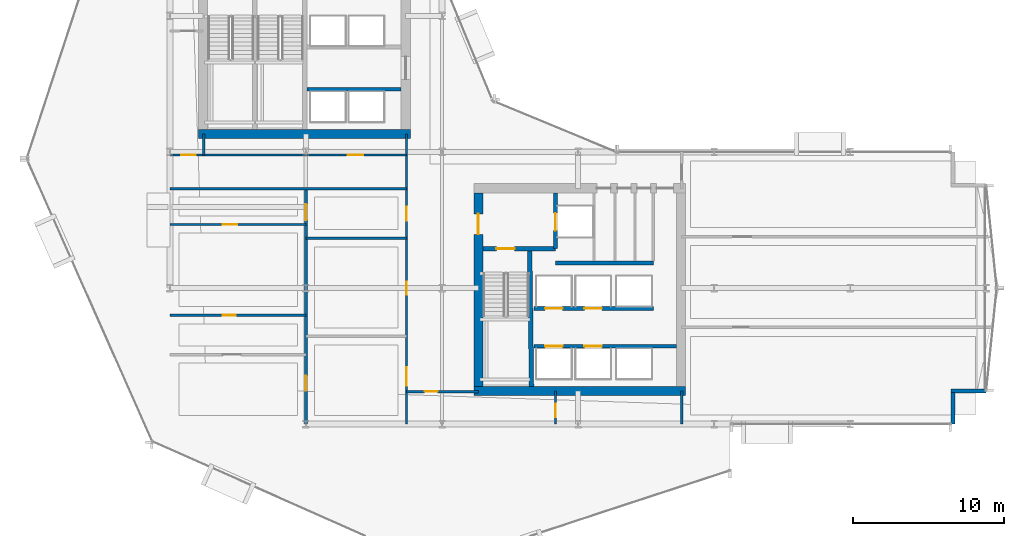
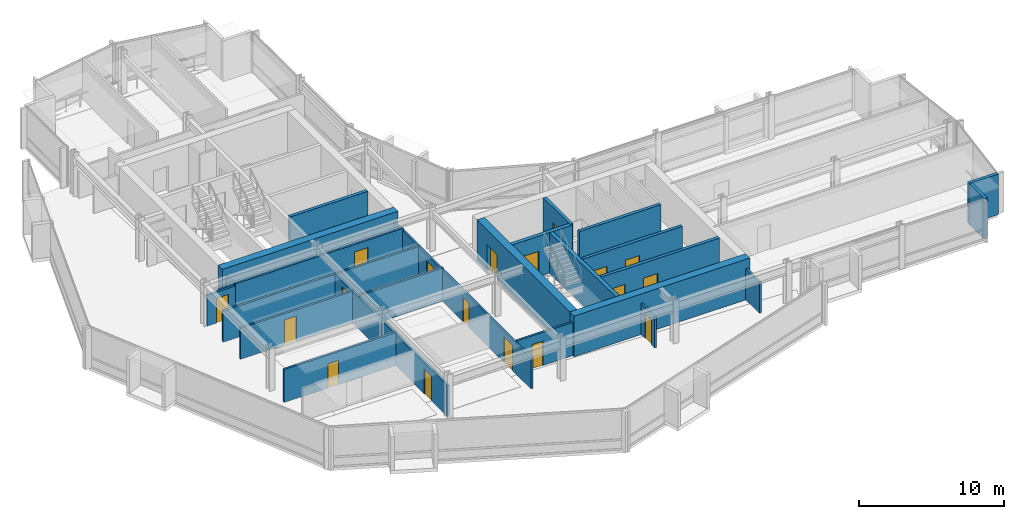
# One storey, part 27 of 34: 24 walls, 18 doors, 18 openings.
"""IFC4 building model written with IfcOpenShell, lengths in metres."""

from ifc_helpers import new_model, si_unit, direction, frame, frame_2d, origin, place, context, subcontext, project, spatial, rectangle, extrude, material, layer, layer_set, type_object, element, fill, save


model = new_model("IFC4")

# Units and contexts
model_context = context("Model", 3, precision=1e-05, world=origin(), true_north=direction((0.0, 1.0)))
body_context = subcontext(model_context, "Body", "Model", "MODEL_VIEW")
ifc_project = project(units=[si_unit("LENGTHUNIT", "METRE"), si_unit("AREAUNIT", "SQUARE_METRE"), si_unit("VOLUMEUNIT", "CUBIC_METRE"), si_unit("PLANEANGLEUNIT", "RADIAN"), si_unit("MASSUNIT", "GRAM", prefix="KILO")], contexts=[model_context])

# Site, building, storey
site_placement = place(None, origin())
site = spatial("IfcSite", under=ifc_project, at=site_placement, CompositionType="ELEMENT")
building_placement = place(site_placement, origin())
building = spatial("IfcBuilding", under=site, at=building_placement, Name="Solvaryn Broadcast Tower", CompositionType="ELEMENT")
storey_placement = place(building_placement, frame((0.0, 0.0, 39.699951171875)))
storey = spatial("IfcBuildingStorey", under=building, at=storey_placement, Name="L08", CompositionType="ELEMENT", Elevation=39.699951171875)

# Walls
ifc_material_1 = material(Name="Concrete f'c 70 MPa", Category="concrete")
ifc_layer_1 = layer(ifc_material_1, 0.60009765625)
ifc_layer_set_1 = layer_set([ifc_layer_1], Name="CW-SHEAR-600")
wall_type_1 = type_object("IfcWallType", Name="CW-SHEAR-600", PredefinedType="SHEAR", material=ifc_layer_set_1)
for number, where, z_axis, x_axis, name in (
    (1, (10.89990234375, 28.199951171875, 0.0), (0.0, 0.0, 1.0), (1.0, 0.0, 0.0), "L08 West Core South Shear Wall"),
    (2, (29.10009765625, 11.199951171875, 0.0), (0.0, 0.0, 1.0), (1.0, 0.0, 0.0), "L08 East Core South Shear Wall"),
):
    element("IfcWall", number, at=place(storey_placement, frame(where, z_axis=z_axis, x_axis=x_axis)), inside=storey, type_object=wall_type_1, Name=name, PredefinedType="SHEAR", context=body_context, shape_type="SweptSolid", body=[
        extrude(rectangle(XDim=14.0, YDim=0.60009765625, at=frame_2d((7.0, 0.0))), origin(), (0.0, 0.0, 1.0), 3.420166015625),
    ])

# Wall, opening, door
wall_1_placement = place(storey_placement, frame((29.39990234375, 24.300048828125, 0.0), z_axis=(0.0, 0.0, 1.0), x_axis=(0.0, -1.0, 0.0)))
wall_1 = element("IfcWall", 3, at=wall_1_placement, inside=storey, type_object=wall_type_1, Name="L08 East Core West Shear Wall", PredefinedType="SHEAR", context=body_context, shape_type="SweptSolid", body=[
    extrude(rectangle(XDim=12.800048828125, YDim=0.60009765625, at=frame_2d((6.39990234375, 0.0))), origin(), (0.0, 0.0, 1.0), 3.420166015625),
])
opening_1_placement = place(wall_1_placement, frame((1.39990234375, 0.0, 0.0)))
opening_1 = element("IfcOpeningElement", 4, at=opening_1_placement, cuts=wall_1, Name="Opening FD90B", PredefinedType="OPENING", context=body_context, shape_type="SweptSolid", body=[
    extrude(rectangle(XDim=1.35009765625, YDim=2.14990234375, at=frame_2d((0.675048828125, 1.074951171875))), frame((0.0, 0.31005859375, 0.0), z_axis=(0.0, -1.0, 0.0), x_axis=(1.0, 0.0, 0.0)), (0.0, 0.0, 1.0), 0.6201171875),
])
ifc_material_2 = material(Name="Flush Acoustic Steel and Timber Door Assembly", Category="steel")
door_type_1 = type_object("IfcDoorType", Name="FD90-LOBBY-1350X2150", OperationType="NOTDEFINED", PredefinedType="DOOR", material=ifc_material_2)
door_1_placement = place(opening_1_placement, origin())
door_1 = element("IfcDoor", 5, at=door_1_placement, inside=storey, type_object=door_type_1, Name="L08 East FSAE Lobby Door", OperationType="SINGLE_SWING_RIGHT", OverallHeight=2.14990234375, OverallWidth=1.35009765625, PredefinedType="DOOR", context=body_context, shape_type="SweptSolid", body=[
    extrude(rectangle(XDim=1.35009765625, YDim=2.14990234375, at=frame_2d((0.675048828125, 1.074951171875))), frame((0.0, 0.02490234375, 0.0), z_axis=(0.0, -1.0, 0.0), x_axis=(1.0, 0.0, 0.0)), (0.0, 0.0, 1.0), 0.050048828125),
])
fill(opening_1, door_1)

# Walls
ifc_material_3 = material(Name="Concrete f'c 50 MPa", Category="concrete")
ifc_layer_2 = layer(ifc_material_3, 0.260009765625)
ifc_layer_set_2 = layer_set([ifc_layer_2], Name="EW-PIER-260")
wall_type_2 = type_object("IfcWallType", Name="EW-PIER-260", PredefinedType="SOLIDWALL", material=ifc_layer_set_2)
wall_2_placement = place(storey_placement, frame((60.800048828125, 9.0, 0.0), z_axis=(0.0, 0.0, 1.0), x_axis=(0.0, 1.0, 0.0)))
element("IfcWall", 6, at=wall_2_placement, inside=storey, type_object=wall_type_2, Name="L08 Notched Corner Pier Wall NSE1", PredefinedType="SOLIDWALL", context=body_context, shape_type="SweptSolid", body=[
    extrude(rectangle(XDim=2.080078125, YDim=0.260009765625, at=frame_2d((1.0400390625, 0.0))), origin(), (0.0, 0.0, 1.0), 3.420166015625),
])
wall_3_placement = place(storey_placement, frame((60.679931640625, 11.199951171875, 0.0), z_axis=(0.0, 0.0, 1.0), x_axis=(1.0, 0.0, 0.0)))
element("IfcWall", 7, at=wall_3_placement, inside=storey, type_object=wall_type_2, Name="L08 Notched Corner Pier Wall NSE2", PredefinedType="SOLIDWALL", context=body_context, shape_type="SweptSolid", body=[
    extrude(rectangle(XDim=2.320068359375, YDim=0.260009765625, at=frame_2d((1.16015625, 0.0))), origin(), (0.0, 0.0, 1.0), 3.420166015625),
])

# Wall, opening, door
ifc_material_4 = material(Name="Metal-Stud Service Core Partition")
ifc_layer_3 = layer(ifc_material_4, 0.14990234375)
ifc_layer_set_3 = layer_set([ifc_layer_3], Name="IW-PART-150")
wall_type_3 = type_object("IfcWallType", Name="IW-PART-150", PredefinedType="PARTITIONING", material=ifc_layer_set_3)
wall_4_placement = place(storey_placement, frame((34.5, 9.0, 0.0), z_axis=(0.0, 0.0, 1.0), x_axis=(0.0, 1.0, 0.0)))
wall_4 = element("IfcWall", 8, at=wall_4_placement, inside=storey, type_object=wall_type_3, Name="L08 Interior Partition IW-L08-SC-V", PredefinedType="PARTITIONING", context=body_context, shape_type="SweptSolid", body=[
    extrude(rectangle(XDim=2.199951171875, YDim=0.14990234375, at=frame_2d((1.10009765625, 0.0))), origin(), (0.0, 0.0, 1.0), 2.626953125),
])
opening_2_placement = place(wall_4_placement, frame((0.449951171875, 0.0, 0.0)))
opening_2 = element("IfcOpeningElement", 9, at=opening_2_placement, cuts=wall_4, Name="Opening FD60C", PredefinedType="OPENING", context=body_context, shape_type="SweptSolid", body=[
    extrude(rectangle(XDim=0.89990234375, YDim=2.10009765625, at=frame_2d((0.449951171875, 1.050048828125))), frame((0.0, 0.0849609375, 0.0), z_axis=(0.0, -1.0, 0.0), x_axis=(1.0, 0.0, 0.0)), (0.0, 0.0, 1.0), 0.169921875),
])
ifc_material_5 = material(Name="Flush Acoustic Steel and Timber Door Assembly", Category="steel")
door_type_2 = type_object("IfcDoorType", Name="FD60-SERV-900X2100", OperationType="NOTDEFINED", PredefinedType="DOOR", material=ifc_material_5)
door_2_placement = place(opening_2_placement, origin())
door_2 = element("IfcDoor", 10, at=door_2_placement, inside=storey, type_object=door_type_2, Name="L08 Door DR-L08-SC1", OperationType="SINGLE_SWING_RIGHT", OverallHeight=2.10009765625, OverallWidth=0.89990234375, PredefinedType="DOOR", context=body_context, shape_type="SweptSolid", body=[
    extrude(rectangle(XDim=0.89990234375, YDim=2.10009765625, at=frame_2d((0.449951171875, 1.050048828125))), frame((0.0, 0.02490234375, 0.0), z_axis=(0.0, -1.0, 0.0), x_axis=(1.0, 0.0, 0.0)), (0.0, 0.0, 1.0), 0.050048828125),
])
fill(opening_2, door_2)

ifc_material_6 = material(Name="Metal-Stud Gypsum Office Partition")
ifc_layer_4 = layer(ifc_material_6, 0.159912109375)
ifc_layer_set_4 = layer_set([ifc_layer_4], Name="IW-PART-160")
wall_type_4 = type_object("IfcWallType", Name="IW-PART-160", PredefinedType="PARTITIONING", material=ifc_layer_set_4)
wall_5_placement = place(storey_placement, frame((9.0, 26.800048828125, 0.0), z_axis=(0.0, 0.0, 1.0), x_axis=(1.0, 0.0, 0.0)))
wall_5 = element("IfcWall", 11, at=wall_5_placement, inside=storey, type_object=wall_type_4, Name="L08 Interior Partition IW-L08-WM-S", PredefinedType="PARTITIONING", context=body_context, shape_type="SweptSolid", body=[
    extrude(rectangle(XDim=2.25, YDim=0.159912109375, at=frame_2d((1.125, 0.0))), origin(), (0.0, 0.0, 1.0), 2.626953125),
])
opening_3_placement = place(wall_5_placement, frame((0.75, 0.0, 0.0)))
opening_3 = element("IfcOpeningElement", 12, at=opening_3_placement, cuts=wall_5, Name="Opening ID01", PredefinedType="OPENING", context=body_context, shape_type="SweptSolid", body=[
    extrude(rectangle(XDim=0.949951171875, YDim=2.10009765625, at=frame_2d((0.47509765625, 1.050048828125))), frame((0.0, 0.090087890625, 0.0), z_axis=(0.0, -1.0, 0.0), x_axis=(1.0, 0.0, 0.0)), (0.0, 0.0, 1.0), 0.179931640625),
])
ifc_material_7 = material(Name="Flush Acoustic Steel and Timber Door Assembly", Category="steel")
door_type_3 = type_object("IfcDoorType", Name="ID-01-950X2100", OperationType="NOTDEFINED", PredefinedType="DOOR", material=ifc_material_7)
door_3_placement = place(opening_3_placement, origin())
door_3 = element("IfcDoor", 13, at=door_3_placement, inside=storey, type_object=door_type_3, Name="L08 Door DR-L08-WM0", OperationType="SINGLE_SWING_LEFT", OverallHeight=2.10009765625, OverallWidth=0.949951171875, PredefinedType="DOOR", context=body_context, shape_type="SweptSolid", body=[
    extrude(rectangle(XDim=0.949951171875, YDim=2.10009765625, at=frame_2d((0.47509765625, 1.050048828125))), frame((0.0, 0.02490234375, 0.0), z_axis=(0.0, -1.0, 0.0), x_axis=(1.0, 0.0, 0.0)), (0.0, 0.0, 1.0), 0.050048828125),
])
fill(opening_3, door_3)

# Wall, openings, doors
wall_6_placement = place(storey_placement, frame((24.64990234375, 9.0, 0.0), z_axis=(0.0, 0.0, 1.0), x_axis=(0.0, 1.0, 0.0)))
wall_6 = element("IfcWall", 14, at=wall_6_placement, inside=storey, type_object=wall_type_4, Name="L08 Interior Partition IW-L08-SW-EB", PredefinedType="PARTITIONING", context=body_context, shape_type="SweptSolid", body=[
    extrude(rectangle(XDim=19.199951171875, YDim=0.159912109375, at=frame_2d((9.60009765625, 0.0))), origin(), (0.0, 0.0, 1.0), 2.626953125),
])
opening_4_placement = place(wall_6_placement, frame((2.550048828125, 0.0, 0.0)))
opening_4 = element("IfcOpeningElement", 15, at=opening_4_placement, cuts=wall_6, Name="Opening ID04", PredefinedType="OPENING", context=body_context, shape_type="SweptSolid", body=[
    extrude(rectangle(XDim=1.199951171875, YDim=2.14990234375, at=frame_2d((0.60009765625, 1.074951171875))), frame((0.0, 0.090087890625, 0.0), z_axis=(0.0, -1.0, 0.0), x_axis=(1.0, 0.0, 0.0)), (0.0, 0.0, 1.0), 0.179931640625),
])
opening_5_placement = place(wall_6_placement, frame((8.550048828125, 0.0, 0.0)))
opening_5 = element("IfcOpeningElement", 16, at=opening_5_placement, cuts=wall_6, Name="Opening ID07", PredefinedType="OPENING", context=body_context, shape_type="SweptSolid", body=[
    extrude(rectangle(XDim=0.860107421875, YDim=2.050048828125, at=frame_2d((0.43017578125, 1.02490234375))), frame((0.0, 0.090087890625, 0.0), z_axis=(0.0, -1.0, 0.0), x_axis=(1.0, 0.0, 0.0)), (0.0, 0.0, 1.0), 0.179931640625),
])
opening_6_placement = place(wall_6_placement, frame((13.43994140625, 0.0, 0.0)))
opening_6 = element("IfcOpeningElement", 17, at=opening_6_placement, cuts=wall_6, Name="Opening ID01", PredefinedType="OPENING", context=body_context, shape_type="SweptSolid", body=[
    extrude(rectangle(XDim=0.949951171875, YDim=2.10009765625, at=frame_2d((0.47509765625, 1.050048828125))), frame((0.0, 0.090087890625, 0.0), z_axis=(0.0, -1.0, 0.0), x_axis=(1.0, 0.0, 0.0)), (0.0, 0.0, 1.0), 0.179931640625),
])
door_4_placement = place(opening_6_placement, origin())
door_4 = element("IfcDoor", 18, at=door_4_placement, inside=storey, type_object=door_type_3, Name="L08 Door DR-L08-SWE-3", OperationType="SINGLE_SWING_RIGHT", OverallHeight=2.10009765625, OverallWidth=0.949951171875, PredefinedType="DOOR", context=body_context, shape_type="SweptSolid", body=[
    extrude(rectangle(XDim=0.949951171875, YDim=2.10009765625, at=frame_2d((0.47509765625, 1.050048828125))), frame((0.0, 0.02490234375, 0.0), z_axis=(0.0, -1.0, 0.0), x_axis=(1.0, 0.0, 0.0)), (0.0, 0.0, 1.0), 0.050048828125),
])
fill(opening_6, door_4)
ifc_material_8 = material(Name="Flush Acoustic Steel and Timber Door Assembly", Category="steel")
door_type_4 = type_object("IfcDoorType", Name="ID-04-1200X2150", OperationType="NOTDEFINED", PredefinedType="DOOR", material=ifc_material_8)
door_5_placement = place(opening_4_placement, origin())
door_5 = element("IfcDoor", 19, at=door_5_placement, inside=storey, type_object=door_type_4, Name="L08 Door DR-L08-SWE-1", OperationType="SINGLE_SWING_RIGHT", OverallHeight=2.14990234375, OverallWidth=1.199951171875, PredefinedType="DOOR", context=body_context, shape_type="SweptSolid", body=[
    extrude(rectangle(XDim=1.199951171875, YDim=2.14990234375, at=frame_2d((0.60009765625, 1.074951171875))), frame((0.0, 0.02490234375, 0.0), z_axis=(0.0, -1.0, 0.0), x_axis=(1.0, 0.0, 0.0)), (0.0, 0.0, 1.0), 0.050048828125),
])
fill(opening_4, door_5)
ifc_material_9 = material(Name="Flush Acoustic Steel and Timber Door Assembly", Category="steel")
door_type_5 = type_object("IfcDoorType", Name="ID-07-860X2050", OperationType="NOTDEFINED", PredefinedType="DOOR", material=ifc_material_9)
door_6_placement = place(opening_5_placement, origin())
door_6 = element("IfcDoor", 20, at=door_6_placement, inside=storey, type_object=door_type_5, Name="L08 Door DR-L08-SWE-2", OperationType="SINGLE_SWING_LEFT", OverallHeight=2.050048828125, OverallWidth=0.860107421875, PredefinedType="DOOR", context=body_context, shape_type="SweptSolid", body=[
    extrude(rectangle(XDim=0.860107421875, YDim=2.050048828125, at=frame_2d((0.43017578125, 1.02490234375))), frame((0.0, 0.02490234375, 0.0), z_axis=(0.0, -1.0, 0.0), x_axis=(1.0, 0.0, 0.0)), (0.0, 0.0, 1.0), 0.050048828125),
])
fill(opening_5, door_6)

# Wall
wall_7_placement = place(storey_placement, frame((9.0, 24.580078125, 0.0), z_axis=(0.0, 0.0, 1.0), x_axis=(1.0, 0.0, 0.0)))
element("IfcWall", 21, at=wall_7_placement, inside=storey, type_object=wall_type_4, Name="L08 Interior Partition IW-L08-SW-NB", PredefinedType="PARTITIONING", context=body_context, shape_type="SweptSolid", body=[
    extrude(rectangle(XDim=15.64990234375, YDim=0.159912109375, at=frame_2d((7.824951171875, 0.0))), origin(), (0.0, 0.0, 1.0), 2.626953125),
])

# Wall, opening, door
wall_8_placement = place(storey_placement, frame((11.25, 26.800048828125, 0.0), z_axis=(0.0, 0.0, 1.0), x_axis=(1.0, 0.0, 0.0)))
wall_8 = element("IfcWall", 22, at=wall_8_placement, inside=storey, type_object=wall_type_4, Name="L08 Interior Partition IW-L08-SW-N2", PredefinedType="PARTITIONING", context=body_context, shape_type="SweptSolid", body=[
    extrude(rectangle(XDim=13.39990234375, YDim=0.159912109375, at=frame_2d((6.699951171875, 0.0))), origin(), (0.0, 0.0, 1.0), 2.7890625),
])
opening_7_placement = place(wall_8_placement, frame((9.5, 0.0, 0.0)))
opening_7 = element("IfcOpeningElement", 23, at=opening_7_placement, cuts=wall_8, Name="Opening ID03", PredefinedType="OPENING", context=body_context, shape_type="SweptSolid", body=[
    extrude(rectangle(XDim=1.050048828125, YDim=2.14990234375, at=frame_2d((0.52490234375, 1.074951171875))), frame((0.0, 0.090087890625, 0.0), z_axis=(0.0, -1.0, 0.0), x_axis=(1.0, 0.0, 0.0)), (0.0, 0.0, 1.0), 0.179931640625),
])
ifc_material_10 = material(Name="Flush Acoustic Steel and Timber Door Assembly", Category="steel")
door_type_6 = type_object("IfcDoorType", Name="ID-03-1050X2150", OperationType="NOTDEFINED", PredefinedType="DOOR", material=ifc_material_10)
door_7_placement = place(opening_7_placement, origin())
door_7 = element("IfcDoor", 24, at=door_7_placement, inside=storey, type_object=door_type_6, Name="L08 Door DR-L08-SW-ALC", OperationType="SINGLE_SWING_LEFT", OverallHeight=2.14990234375, OverallWidth=1.050048828125, PredefinedType="DOOR", context=body_context, shape_type="SweptSolid", body=[
    extrude(rectangle(XDim=1.050048828125, YDim=2.14990234375, at=frame_2d((0.52490234375, 1.074951171875))), frame((0.0, 0.02490234375, 0.0), z_axis=(0.0, -1.0, 0.0), x_axis=(1.0, 0.0, 0.0)), (0.0, 0.0, 1.0), 0.050048828125),
])
fill(opening_7, door_7)

# Walls
wall_9_placement = place(storey_placement, frame((11.25, 26.800048828125, 0.0), z_axis=(0.0, 0.0, 1.0), x_axis=(0.0, 1.0, 0.0)))
element("IfcWall", 25, at=wall_9_placement, inside=storey, type_object=wall_type_4, Name="L08 Interior Partition IW-L08-SW-ALW", PredefinedType="PARTITIONING", context=body_context, shape_type="SweptSolid", body=[
    extrude(rectangle(XDim=1.39990234375, YDim=0.159912109375, at=frame_2d((0.699951171875, 0.0))), origin(), (0.0, 0.0, 1.0), 2.7890625),
])
wall_10_placement = place(storey_placement, frame((18.0, 21.300048828125, 0.0), z_axis=(0.0, 0.0, 1.0), x_axis=(1.0, 0.0, 0.0)))
element("IfcWall", 26, at=wall_10_placement, inside=storey, type_object=wall_type_4, Name="L08 Interior Partition IW-L08-SWE-H2", PredefinedType="PARTITIONING", context=body_context, shape_type="SweptSolid", body=[
    extrude(rectangle(XDim=6.64990234375, YDim=0.159912109375, at=frame_2d((3.324951171875, 0.0))), origin(), (0.0, 0.0, 1.0), 2.7919921875),
])

# Wall, opening, door
wall_11_placement = place(storey_placement, frame((9.0, 16.199951171875, 0.0), z_axis=(0.0, 0.0, 1.0), x_axis=(1.0, 0.0, 0.0)))
wall_11 = element("IfcWall", 27, at=wall_11_placement, inside=storey, type_object=wall_type_4, Name="L08 Interior Partition IW-L08-SWW-H2", PredefinedType="PARTITIONING", context=body_context, shape_type="SweptSolid", body=[
    extrude(rectangle(XDim=9.0, YDim=0.159912109375, at=frame_2d((4.5, 0.0))), origin(), (0.0, 0.0, 1.0), 2.7919921875),
])
opening_8_placement = place(wall_11_placement, frame((3.5, 0.0, 0.0)))
opening_8 = element("IfcOpeningElement", 28, at=opening_8_placement, cuts=wall_11, Name="Opening ID07", PredefinedType="OPENING", context=body_context, shape_type="SweptSolid", body=[
    extrude(rectangle(XDim=0.860107421875, YDim=2.050048828125, at=frame_2d((0.43017578125, 1.02490234375))), frame((0.0, 0.090087890625, 0.0), z_axis=(0.0, -1.0, 0.0), x_axis=(1.0, 0.0, 0.0)), (0.0, 0.0, 1.0), 0.179931640625),
])
door_8_placement = place(opening_8_placement, origin())
door_8 = element("IfcDoor", 29, at=door_8_placement, inside=storey, type_object=door_type_5, Name="L08 Door DR-L08-SWW-2", OperationType="SINGLE_SWING_RIGHT", OverallHeight=2.050048828125, OverallWidth=0.860107421875, PredefinedType="DOOR", context=body_context, shape_type="SweptSolid", body=[
    extrude(rectangle(XDim=0.860107421875, YDim=2.050048828125, at=frame_2d((0.43017578125, 1.02490234375))), frame((0.0, 0.02490234375, 0.0), z_axis=(0.0, -1.0, 0.0), x_axis=(1.0, 0.0, 0.0)), (0.0, 0.0, 1.0), 0.050048828125),
])
fill(opening_8, door_8)

wall_12_placement = place(storey_placement, frame((9.0, 22.199951171875, 0.0), z_axis=(0.0, 0.0, 1.0), x_axis=(1.0, 0.0, 0.0)))
wall_12 = element("IfcWall", 30, at=wall_12_placement, inside=storey, type_object=wall_type_4, Name="L08 Interior Partition IW-L08-SWW-H3", PredefinedType="PARTITIONING", context=body_context, shape_type="SweptSolid", body=[
    extrude(rectangle(XDim=9.0, YDim=0.159912109375, at=frame_2d((4.5, 0.0))), origin(), (0.0, 0.0, 1.0), 2.626953125),
])
opening_9_placement = place(wall_12_placement, frame((3.5, 0.0, 0.0)))
opening_9 = element("IfcOpeningElement", 31, at=opening_9_placement, cuts=wall_12, Name="Opening ID01", PredefinedType="OPENING", context=body_context, shape_type="SweptSolid", body=[
    extrude(rectangle(XDim=0.949951171875, YDim=2.10009765625, at=frame_2d((0.47509765625, 1.050048828125))), frame((0.0, 0.090087890625, 0.0), z_axis=(0.0, -1.0, 0.0), x_axis=(1.0, 0.0, 0.0)), (0.0, 0.0, 1.0), 0.179931640625),
])
door_9_placement = place(opening_9_placement, origin())
door_9 = element("IfcDoor", 32, at=door_9_placement, inside=storey, type_object=door_type_3, Name="L08 Door DR-L08-SWW-3", OperationType="SINGLE_SWING_LEFT", OverallHeight=2.10009765625, OverallWidth=0.949951171875, PredefinedType="DOOR", context=body_context, shape_type="SweptSolid", body=[
    extrude(rectangle(XDim=0.949951171875, YDim=2.10009765625, at=frame_2d((0.47509765625, 1.050048828125))), frame((0.0, 0.02490234375, 0.0), z_axis=(0.0, -1.0, 0.0), x_axis=(1.0, 0.0, 0.0)), (0.0, 0.0, 1.0), 0.050048828125),
])
fill(opening_9, door_9)

wall_13_placement = place(storey_placement, frame((24.64990234375, 11.14990234375, 0.0), z_axis=(0.0, 0.0, 1.0), x_axis=(1.0, 0.0, 0.0)))
wall_13 = element("IfcWall", 33, at=wall_13_placement, inside=storey, type_object=wall_type_4, Name="L08 Interior Partition IW-L08-SC-N", PredefinedType="PARTITIONING", context=body_context, shape_type="SweptSolid", body=[
    extrude(rectangle(XDim=4.75, YDim=0.159912109375, at=frame_2d((2.375, 0.0))), origin(), (0.0, 0.0, 1.0), 2.7919921875),
])
opening_10_placement = place(wall_13_placement, frame((1.199951171875, 0.0, 0.0)))
opening_10 = element("IfcOpeningElement", 34, at=opening_10_placement, cuts=wall_13, Name="Opening ID07", PredefinedType="OPENING", context=body_context, shape_type="SweptSolid", body=[
    extrude(rectangle(XDim=0.860107421875, YDim=2.050048828125, at=frame_2d((0.43017578125, 1.02490234375))), frame((0.0, 0.090087890625, 0.0), z_axis=(0.0, -1.0, 0.0), x_axis=(1.0, 0.0, 0.0)), (0.0, 0.0, 1.0), 0.179931640625),
])
door_10_placement = place(opening_10_placement, origin())
door_10 = element("IfcDoor", 35, at=door_10_placement, inside=storey, type_object=door_type_5, Name="L08 Door DR-L08-SC0", OperationType="SINGLE_SWING_LEFT", OverallHeight=2.050048828125, OverallWidth=0.860107421875, PredefinedType="DOOR", context=body_context, shape_type="SweptSolid", body=[
    extrude(rectangle(XDim=0.860107421875, YDim=2.050048828125, at=frame_2d((0.43017578125, 1.02490234375))), frame((0.0, 0.02490234375, 0.0), z_axis=(0.0, -1.0, 0.0), x_axis=(1.0, 0.0, 0.0)), (0.0, 0.0, 1.0), 0.050048828125),
])
fill(opening_10, door_10)

# Wall
wall_14_placement = place(storey_placement, frame((42.85009765625, 9.0, 0.0), z_axis=(0.0, 0.0, 1.0), x_axis=(0.0, 1.0, 0.0)))
element("IfcWall", 36, at=wall_14_placement, inside=storey, type_object=wall_type_4, Name="L08 Interior Partition IW-L08-SC-E", PredefinedType="PARTITIONING", context=body_context, shape_type="SweptSolid", body=[
    extrude(rectangle(XDim=2.199951171875, YDim=0.159912109375, at=frame_2d((1.10009765625, 0.0))), origin(), (0.0, 0.0, 1.0), 2.626953125),
])

# Wall, openings, doors
ifc_material_11 = material(Name="Acoustic Metal-Stud Gypsum Partition")
ifc_layer_5 = layer(ifc_material_11, 0.179931640625)
ifc_layer_set_5 = layer_set([ifc_layer_5], Name="IW-PART-180")
wall_type_5 = type_object("IfcWallType", Name="IW-PART-180", PredefinedType="PARTITIONING", material=ifc_layer_set_5)
wall_15_placement = place(storey_placement, frame((18.0, 9.0, 0.0), z_axis=(0.0, 0.0, 1.0), x_axis=(0.0, 1.0, 0.0)))
wall_15 = element("IfcWall", 37, at=wall_15_placement, inside=storey, type_object=wall_type_5, Name="L08 Interior Partition IW-L08-SW-VX", PredefinedType="PARTITIONING", context=body_context, shape_type="SweptSolid", body=[
    extrude(rectangle(XDim=15.580078125, YDim=0.179931640625, at=frame_2d((7.7900390625, 0.0))), origin(), (0.0, 0.0, 1.0), 2.626953125),
])
opening_11_placement = place(wall_15_placement, frame((2.199951171875, 0.0, 0.0)))
opening_11 = element("IfcOpeningElement", 38, at=opening_11_placement, cuts=wall_15, Name="Opening ID02", PredefinedType="OPENING", context=body_context, shape_type="SweptSolid", body=[
    extrude(rectangle(XDim=1.0, YDim=2.10009765625, at=frame_2d((0.5, 1.050048828125))), frame((0.0, 0.099853515625, 0.0), z_axis=(0.0, -1.0, 0.0), x_axis=(1.0, 0.0, 0.0)), (0.0, 0.0, 1.0), 0.199951171875),
])
opening_12_placement = place(wall_15_placement, frame((13.5, 0.0, 0.0)))
opening_12 = element("IfcOpeningElement", 39, at=opening_12_placement, cuts=wall_15, Name="Opening ID03", PredefinedType="OPENING", context=body_context, shape_type="SweptSolid", body=[
    extrude(rectangle(XDim=1.050048828125, YDim=2.14990234375, at=frame_2d((0.52490234375, 1.074951171875))), frame((0.0, 0.099853515625, 0.0), z_axis=(0.0, -1.0, 0.0), x_axis=(1.0, 0.0, 0.0)), (0.0, 0.0, 1.0), 0.199951171875),
])
ifc_material_12 = material(Name="Flush Acoustic Steel and Timber Door Assembly", Category="steel")
door_type_7 = type_object("IfcDoorType", Name="ID-02-1000X2100", OperationType="NOTDEFINED", PredefinedType="DOOR", material=ifc_material_12)
door_11_placement = place(opening_11_placement, origin())
door_11 = element("IfcDoor", 40, at=door_11_placement, inside=storey, type_object=door_type_7, Name="L08 Door DR-L08-SWW-X1", OperationType="SINGLE_SWING_LEFT", OverallHeight=2.10009765625, OverallWidth=1.0, PredefinedType="DOOR", context=body_context, shape_type="SweptSolid", body=[
    extrude(rectangle(XDim=1.0, YDim=2.10009765625, at=frame_2d((0.5, 1.050048828125))), frame((0.0, 0.02490234375, 0.0), z_axis=(0.0, -1.0, 0.0), x_axis=(1.0, 0.0, 0.0)), (0.0, 0.0, 1.0), 0.050048828125),
])
fill(opening_11, door_11)
door_12_placement = place(opening_12_placement, origin())
door_12 = element("IfcDoor", 41, at=door_12_placement, inside=storey, type_object=door_type_6, Name="L08 Door DR-L08-SWW-X2", OperationType="SINGLE_SWING_RIGHT", OverallHeight=2.14990234375, OverallWidth=1.050048828125, PredefinedType="DOOR", context=body_context, shape_type="SweptSolid", body=[
    extrude(rectangle(XDim=1.050048828125, YDim=2.14990234375, at=frame_2d((0.52490234375, 1.074951171875))), frame((0.0, 0.02490234375, 0.0), z_axis=(0.0, -1.0, 0.0), x_axis=(1.0, 0.0, 0.0)), (0.0, 0.0, 1.0), 0.050048828125),
])
fill(opening_12, door_12)

# Wall
ifc_material_13 = material(Name="Concrete f'c 60 MPa", Category="concrete")
ifc_layer_6 = layer(ifc_material_13, 0.25)
ifc_layer_set_6 = layer_set([ifc_layer_6], Name="SW-SHAFT-250")
wall_type_6 = type_object("IfcWallType", Name="SW-SHAFT-250", PredefinedType="PARTITIONING", material=ifc_layer_set_6)
wall_16_placement = place(storey_placement, frame((18.070068359375, 31.14990234375, 0.0), z_axis=(0.0, 0.0, 1.0), x_axis=(1.0, 0.0, 0.0)))
element("IfcWall", 42, at=wall_16_placement, inside=storey, type_object=wall_type_6, Name="L08 High-Rise Lift Bank South Wall", PredefinedType="PARTITIONING", context=body_context, shape_type="SweptSolid", body=[
    extrude(rectangle(XDim=6.22998046875, YDim=0.25, at=frame_2d((3.114990234375, 0.0))), origin(), (0.0, 0.0, 1.0), 3.420166015625),
])

# Wall, opening, door
wall_17_placement = place(storey_placement, frame((34.5, 20.60009765625, 0.0), z_axis=(0.0, 0.0, 1.0), x_axis=(0.0, 1.0, 0.0)))
wall_17 = element("IfcWall", 43, at=wall_17_placement, inside=storey, type_object=wall_type_6, Name="L08 East FSAE Lobby East Wall", PredefinedType="PARTITIONING", context=body_context, shape_type="SweptSolid", body=[
    extrude(rectangle(XDim=3.699951171875, YDim=0.25, at=frame_2d((1.85009765625, 0.0))), origin(), (0.0, 0.0, 1.0), 3.420166015625),
])
opening_13_placement = place(wall_17_placement, frame((1.199951171875, 0.0, 0.0)))
opening_13 = element("IfcOpeningElement", 44, at=opening_13_placement, cuts=wall_17, Name="Opening LD01", PredefinedType="OPENING", context=body_context, shape_type="SweptSolid", body=[
    extrude(rectangle(XDim=1.14990234375, YDim=2.14990234375, at=frame_2d((0.574951171875, 1.074951171875))), frame((0.0, 0.135009765625, 0.0), z_axis=(0.0, -1.0, 0.0), x_axis=(1.0, 0.0, 0.0)), (0.0, 0.0, 1.0), 0.27001953125),
])
ifc_material_14 = material(Name="Flush Acoustic Steel and Timber Door Assembly", Category="steel")
door_type_8 = type_object("IfcDoorType", Name="LD-LIFT-1150X2150", OperationType="NOTDEFINED", PredefinedType="DOOR", material=ifc_material_14)
door_13_placement = place(opening_13_placement, origin())
door_13 = element("IfcDoor", 45, at=door_13_placement, inside=storey, type_object=door_type_8, Name="L08 FL2 Lift Landing Door", OperationType="DOUBLE_DOOR_SLIDING", OverallHeight=2.14990234375, OverallWidth=1.14990234375, PredefinedType="DOOR", context=body_context, shape_type="SweptSolid", body=[
    extrude(rectangle(XDim=1.14990234375, YDim=2.14990234375, at=frame_2d((0.574951171875, 1.074951171875))), frame((0.0, 0.02490234375, 0.0), z_axis=(0.0, -1.0, 0.0), x_axis=(1.0, 0.0, 0.0)), (0.0, 0.0, 1.0), 0.050048828125),
])
fill(opening_13, door_13)

# Wall
wall_18_placement = place(storey_placement, frame((34.5, 19.64990234375, 0.0), z_axis=(0.0, 0.0, 1.0), x_axis=(1.0, 0.0, 0.0)))
element("IfcWall", 46, at=wall_18_placement, inside=storey, type_object=wall_type_6, Name="L08 East Core Restroom South Wall", PredefinedType="PARTITIONING", context=body_context, shape_type="SweptSolid", body=[
    extrude(rectangle(XDim=6.47998046875, YDim=0.25, at=frame_2d((3.239990234375, 0.0))), origin(), (0.0, 0.0, 1.0), 3.420166015625),
])

# Wall, openings, doors
wall_19_placement = place(storey_placement, frame((33.070068359375, 14.14990234375, 0.0), z_axis=(0.0, 0.0, 1.0), x_axis=(1.0, 0.0, 0.0)))
wall_19 = element("IfcWall", 47, at=wall_19_placement, inside=storey, type_object=wall_type_6, Name="L08 East Lift Bank South Wall", PredefinedType="PARTITIONING", context=body_context, shape_type="SweptSolid", body=[
    extrude(rectangle(XDim=9.429931640625, YDim=0.25, at=frame_2d((4.71484375, 0.0))), origin(), (0.0, 0.0, 1.0), 3.420166015625),
])
opening_14_placement = place(wall_19_placement, frame((0.7548828125, 0.0, 0.0)))
opening_14 = element("IfcOpeningElement", 48, at=opening_14_placement, cuts=wall_19, Name="Opening LD01", PredefinedType="OPENING", context=body_context, shape_type="SweptSolid", body=[
    extrude(rectangle(XDim=1.14990234375, YDim=2.14990234375, at=frame_2d((0.574951171875, 1.074951171875))), frame((0.0, 0.135009765625, 0.0), z_axis=(0.0, -1.0, 0.0), x_axis=(1.0, 0.0, 0.0)), (0.0, 0.0, 1.0), 0.27001953125),
])
opening_15_placement = place(wall_19_placement, frame((3.35498046875, 0.0, 0.0)))
opening_15 = element("IfcOpeningElement", 49, at=opening_15_placement, cuts=wall_19, Name="Opening LD01", PredefinedType="OPENING", context=body_context, shape_type="SweptSolid", body=[
    extrude(rectangle(XDim=1.14990234375, YDim=2.14990234375, at=frame_2d((0.574951171875, 1.074951171875))), frame((0.0, 0.135009765625, 0.0), z_axis=(0.0, -1.0, 0.0), x_axis=(1.0, 0.0, 0.0)), (0.0, 0.0, 1.0), 0.27001953125),
])
door_14_placement = place(opening_14_placement, origin())
door_14 = element("IfcDoor", 50, at=door_14_placement, inside=storey, type_object=door_type_8, Name="L08 PL1 Lift Landing Door", OperationType="DOUBLE_DOOR_SLIDING", OverallHeight=2.14990234375, OverallWidth=1.14990234375, PredefinedType="DOOR", context=body_context, shape_type="SweptSolid", body=[
    extrude(rectangle(XDim=1.14990234375, YDim=2.14990234375, at=frame_2d((0.574951171875, 1.074951171875))), frame((0.0, 0.02490234375, 0.0), z_axis=(0.0, -1.0, 0.0), x_axis=(1.0, 0.0, 0.0)), (0.0, 0.0, 1.0), 0.050048828125),
])
fill(opening_14, door_14)
door_15_placement = place(opening_15_placement, origin())
door_15 = element("IfcDoor", 51, at=door_15_placement, inside=storey, type_object=door_type_8, Name="L08 PL2 Lift Landing Door", OperationType="DOUBLE_DOOR_SLIDING", OverallHeight=2.14990234375, OverallWidth=1.14990234375, PredefinedType="DOOR", context=body_context, shape_type="SweptSolid", body=[
    extrude(rectangle(XDim=1.14990234375, YDim=2.14990234375, at=frame_2d((0.574951171875, 1.074951171875))), frame((0.0, 0.02490234375, 0.0), z_axis=(0.0, -1.0, 0.0), x_axis=(1.0, 0.0, 0.0)), (0.0, 0.0, 1.0), 0.050048828125),
])
fill(opening_15, door_15)

wall_20_placement = place(storey_placement, frame((40.97998046875, 16.64990234375, 0.0), z_axis=(0.0, 0.0, 1.0), x_axis=(-1.0, 0.0, 0.0)))
wall_20 = element("IfcWall", 52, at=wall_20_placement, inside=storey, type_object=wall_type_6, Name="L08 East Lift Bank North Wall", PredefinedType="PARTITIONING", context=body_context, shape_type="SweptSolid", body=[
    extrude(rectangle(XDim=7.909912109375, YDim=0.25, at=frame_2d((3.955078125, 0.0))), origin(), (0.0, 0.0, 1.0), 3.420166015625),
])
opening_16_placement = place(wall_20_placement, frame((6.0048828125, 0.0, 0.0)))
opening_16 = element("IfcOpeningElement", 53, at=opening_16_placement, cuts=wall_20, Name="Opening LD01", PredefinedType="OPENING", context=body_context, shape_type="SweptSolid", body=[
    extrude(rectangle(XDim=1.14990234375, YDim=2.14990234375, at=frame_2d((0.574951171875, 1.074951171875))), frame((0.0, 0.135009765625, 0.0), z_axis=(0.0, -1.0, 0.0), x_axis=(1.0, 0.0, 0.0)), (0.0, 0.0, 1.0), 0.27001953125),
])
opening_17_placement = place(wall_20_placement, frame((3.405029296875, 0.0, 0.0)))
opening_17 = element("IfcOpeningElement", 54, at=opening_17_placement, cuts=wall_20, Name="Opening LD01", PredefinedType="OPENING", context=body_context, shape_type="SweptSolid", body=[
    extrude(rectangle(XDim=1.14990234375, YDim=2.14990234375, at=frame_2d((0.574951171875, 1.074951171875))), frame((0.0, 0.135009765625, 0.0), z_axis=(0.0, -1.0, 0.0), x_axis=(1.0, 0.0, 0.0)), (0.0, 0.0, 1.0), 0.27001953125),
])
door_16_placement = place(opening_16_placement, origin())
door_16 = element("IfcDoor", 55, at=door_16_placement, inside=storey, type_object=door_type_8, Name="L08 PL3 Lift Landing Door", OperationType="DOUBLE_DOOR_SLIDING", OverallHeight=2.14990234375, OverallWidth=1.14990234375, PredefinedType="DOOR", context=body_context, shape_type="SweptSolid", body=[
    extrude(rectangle(XDim=1.14990234375, YDim=2.14990234375, at=frame_2d((0.574951171875, 1.074951171875))), frame((0.0, 0.02490234375, 0.0), z_axis=(0.0, -1.0, 0.0), x_axis=(1.0, 0.0, 0.0)), (0.0, 0.0, 1.0), 0.050048828125),
])
fill(opening_16, door_16)
door_17_placement = place(opening_17_placement, origin())
door_17 = element("IfcDoor", 56, at=door_17_placement, inside=storey, type_object=door_type_8, Name="L08 PL4 Lift Landing Door", OperationType="DOUBLE_DOOR_SLIDING", OverallHeight=2.14990234375, OverallWidth=1.14990234375, PredefinedType="DOOR", context=body_context, shape_type="SweptSolid", body=[
    extrude(rectangle(XDim=1.14990234375, YDim=2.14990234375, at=frame_2d((0.574951171875, 1.074951171875))), frame((0.0, 0.02490234375, 0.0), z_axis=(0.0, -1.0, 0.0), x_axis=(1.0, 0.0, 0.0)), (0.0, 0.0, 1.0), 0.050048828125),
])
fill(opening_17, door_17)

# Wall
ifc_material_15 = material(Name="Concrete f'c 70 MPa", Category="concrete")
ifc_layer_7 = layer(ifc_material_15, 0.300048828125)
ifc_layer_set_7 = layer_set([ifc_layer_7], Name="SW-SHAFT-300")
wall_type_7 = type_object("IfcWallType", Name="SW-SHAFT-300", PredefinedType="SHEAR", material=ifc_layer_set_7)
wall_21_placement = place(storey_placement, frame((32.919921875, 11.5, 0.0), z_axis=(0.0, 0.0, 1.0), x_axis=(-0.013244407292, 0.999912288991, 0.0)))
element("IfcWall", 57, at=wall_21_placement, inside=storey, type_object=wall_type_7, Name="L08 Stair 3 East Shear Wall", PredefinedType="SHEAR", context=body_context, shape_type="SweptSolid", body=[
    extrude(rectangle(XDim=9.05078125, YDim=0.300048828125, at=frame_2d((4.525390625, 0.0))), origin(), (0.0, 0.0, 1.0), 3.420166015625),
])

# Wall, opening, door
wall_22_placement = place(storey_placement, frame((34.5, 20.60009765625, 0.0), z_axis=(0.0, 0.0, 1.0), x_axis=(-1.0, 0.0, 0.0)))
wall_22 = element("IfcWall", 58, at=wall_22_placement, inside=storey, type_object=wall_type_7, Name="L08 East FSAE Lobby South Wall", PredefinedType="SHEAR", context=body_context, shape_type="SweptSolid", body=[
    extrude(rectangle(XDim=4.800048828125, YDim=0.300048828125, at=frame_2d((2.39990234375, 0.0))), origin(), (0.0, 0.0, 1.0), 3.420166015625),
])
opening_18_placement = place(wall_22_placement, frame((2.699951171875, 0.0, 0.0)))
opening_18 = element("IfcOpeningElement", 59, at=opening_18_placement, cuts=wall_22, Name="Opening FD90A", PredefinedType="OPENING", context=body_context, shape_type="SweptSolid", body=[
    extrude(rectangle(XDim=1.199951171875, YDim=2.14990234375, at=frame_2d((0.60009765625, 1.074951171875))), frame((0.0, 0.159912109375, 0.0), z_axis=(0.0, -1.0, 0.0), x_axis=(1.0, 0.0, 0.0)), (0.0, 0.0, 1.0), 0.320068359375),
])
ifc_material_16 = material(Name="Flush Acoustic Steel and Timber Door Assembly", Category="steel")
door_type_9 = type_object("IfcDoorType", Name="FD90-STAIR-1200X2150", OperationType="NOTDEFINED", PredefinedType="DOOR", material=ifc_material_16)
door_18_placement = place(opening_18_placement, origin())
door_18 = element("IfcDoor", 60, at=door_18_placement, inside=storey, type_object=door_type_9, Name="L08 Stair 3 Fire Door", OperationType="SINGLE_SWING_LEFT", OverallHeight=2.14990234375, OverallWidth=1.199951171875, PredefinedType="DOOR", context=body_context, shape_type="SweptSolid", body=[
    extrude(rectangle(XDim=1.199951171875, YDim=2.14990234375, at=frame_2d((0.60009765625, 1.074951171875))), frame((0.0, 0.02490234375, 0.0), z_axis=(0.0, -1.0, 0.0), x_axis=(1.0, 0.0, 0.0)), (0.0, 0.0, 1.0), 0.050048828125),
])
fill(opening_18, door_18)

save(model, "model.ifc")
